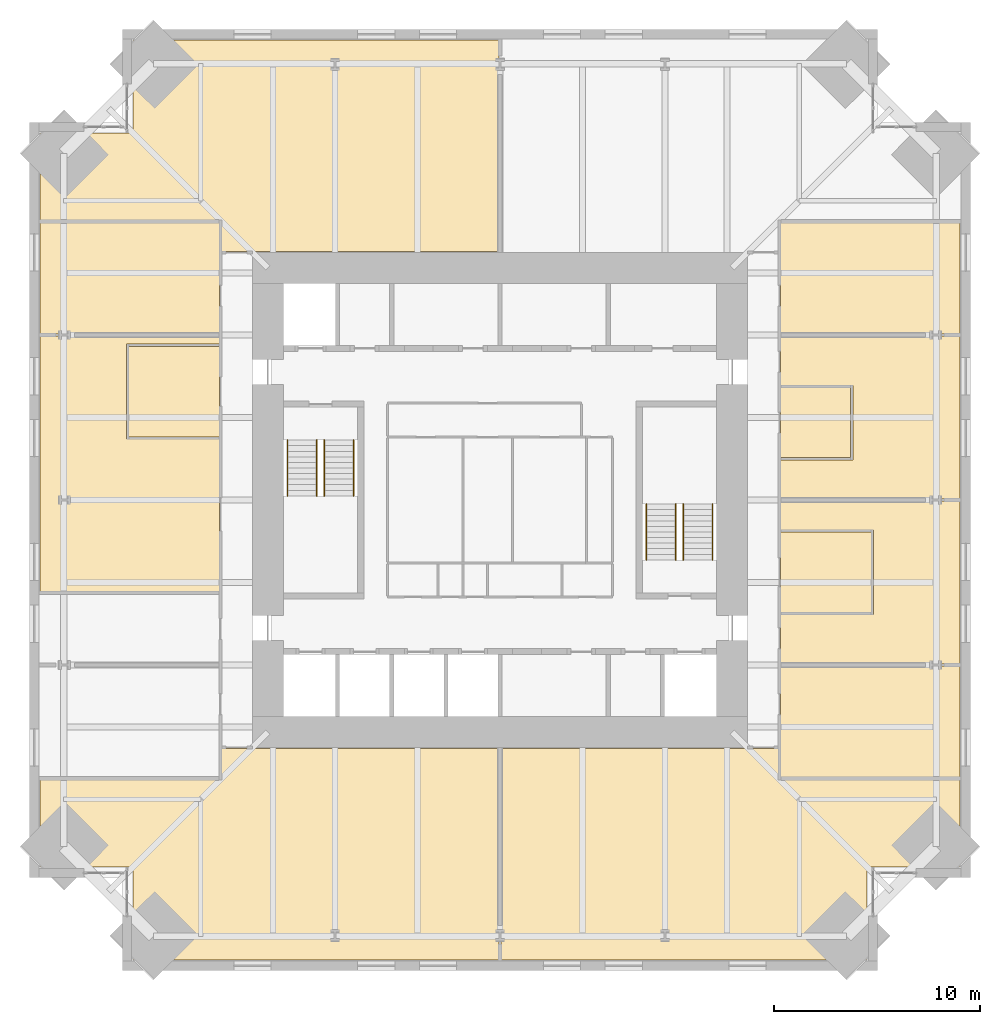
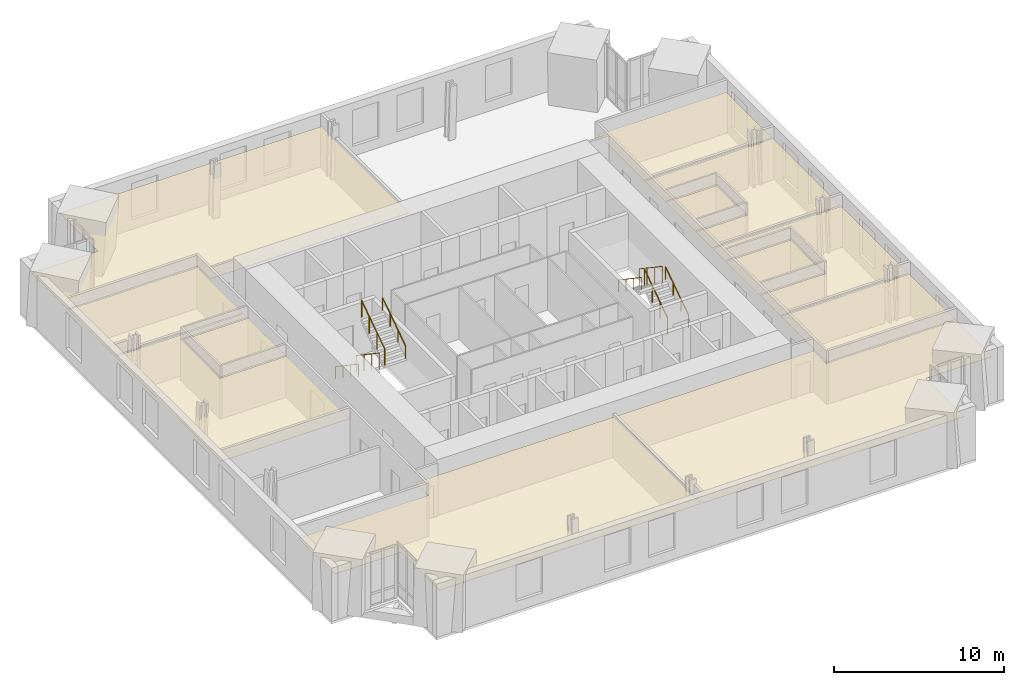
# One storey, part 15 of 15: 12 coverings, 8 railings.
"""IFC4 building model written with IfcOpenShell, lengths in metres."""

from ifc_helpers import new_model, si_unit, direction, frame, origin, origin_2d, place, context, subcontext, project, spatial, polyline, circle, outline, extrude, material, layer, layer_set, type_object, element, save


model = new_model("IFC4")

# Units and contexts
model_context = context("Model", 3, precision=1e-05, world=origin(), true_north=direction((0.0, 1.0)))
body_context = subcontext(model_context, "Body", "Model", "MODEL_VIEW")
ifc_project = project(units=[si_unit("LENGTHUNIT", "METRE"), si_unit("AREAUNIT", "SQUARE_METRE"), si_unit("VOLUMEUNIT", "CUBIC_METRE"), si_unit("PLANEANGLEUNIT", "RADIAN"), si_unit("MASSUNIT", "GRAM", prefix="KILO")], contexts=[model_context])

# Site, building, storey
site_placement = place(None, origin())
site = spatial("IfcSite", under=ifc_project, at=site_placement, CompositionType="ELEMENT")
building_placement = place(site_placement, origin())
building = spatial("IfcBuilding", under=site, at=building_placement, Name="Peilmerk Tower", CompositionType="ELEMENT")
storey_placement = place(building_placement, frame((0.0, 0.0, 241.800048828125)))
storey = spatial("IfcBuildingStorey", under=building, at=storey_placement, Name="L53", CompositionType="ELEMENT", Elevation=241.800048828125)

# Coverings
ifc_material_1 = material(Name="Mineral fibre ceiling tiles", Category="mineral")
ifc_layer = layer(ifc_material_1, 0.02490234375)
ifc_layer_set = layer_set([ifc_layer], Name="Mineral fibre ceiling tiles")
covering_type = type_object("IfcCoveringType", Name="CL1 25 suspended ceiling", PredefinedType="CEILING", material=ifc_layer_set)
covering_1_placement = place(storey_placement, frame((0.0, 0.0, 2.905029296875)))
element("IfcCovering", 1, at=covering_1_placement, inside=storey, type_object=covering_type, Name="Suspended ceiling Client suite", PredefinedType="CEILING", context=body_context, shape_type="SweptSolid", body=[
    extrude(outline(polyline([(-22.300048828125, 17.800048828125), (-22.300048828125, 13.550048828125), (-13.5, 13.550048828125), (-13.5, 12.050048828125), (-0.050048828125, 12.050048828125), (-0.050048828125, 22.300048828125), (-17.800048828125, 22.300048828125), (-17.800048828125, 17.800048828125), (-22.300048828125, 17.800048828125)])), origin(), (0.0, 0.0, 1.0), 0.02490234375),
])
covering_2_placement = place(storey_placement, frame((0.0, 0.0, 2.905029296875)))
element("IfcCovering", 2, at=covering_2_placement, inside=storey, type_object=covering_type, Name="Suspended ceiling Open workspace", PredefinedType="CEILING", context=body_context, shape_type="SweptSolid", body=[
    extrude(outline(polyline([(-17.800048828125, -22.300048828125), (-0.050048828125, -22.300048828125), (-0.050048828125, -12.050048828125), (-13.5, -12.050048828125), (-13.5, -13.550048828125), (-22.300048828125, -13.550048828125), (-22.300048828125, -17.800048828125), (-17.800048828125, -17.800048828125), (-17.800048828125, -22.300048828125)])), origin(), (0.0, 0.0, 1.0), 0.02490234375),
])
covering_3_placement = place(storey_placement, frame((0.0, 0.0, 2.905029296875)))
element("IfcCovering", 3, at=covering_3_placement, inside=storey, type_object=covering_type, Name="Suspended ceiling Open workspace", PredefinedType="CEILING", context=body_context, shape_type="SweptSolid", body=[
    extrude(outline(polyline([(0.050048828125, -22.300048828125), (17.800048828125, -22.300048828125), (17.800048828125, -17.800048828125), (22.300048828125, -17.800048828125), (22.300048828125, -13.550048828125), (13.5, -13.550048828125), (13.5, -12.050048828125), (0.050048828125, -12.050048828125), (0.050048828125, -22.300048828125)])), origin(), (0.0, 0.0, 1.0), 0.02490234375),
])
covering_4_placement = place(storey_placement, frame((0.0, 0.0, 2.905029296875)))
element("IfcCovering", 4, at=covering_4_placement, inside=storey, type_object=covering_type, Name="Suspended ceiling Office", PredefinedType="CEILING", context=body_context, shape_type="SweptSolid", body=[
    extrude(outline(polyline([(22.300048828125, -13.449951171875), (22.300048828125, -8.050048828125), (13.60009765625, -8.050048828125), (13.60009765625, -13.449951171875), (22.300048828125, -13.449951171875)])), origin(), (0.0, 0.0, 1.0), 0.02490234375),
])
covering_5_placement = place(storey_placement, frame((0.0, 0.0, 2.905029296875)))
element("IfcCovering", 5, at=covering_5_placement, inside=storey, type_object=covering_type, Name="Suspended ceiling Office", PredefinedType="CEILING", context=body_context, shape_type="SweptSolid", body=[
    extrude(outline(polyline([(13.60009765625, -7.949951171875), (22.300048828125, -7.949951171875), (22.300048828125, -0.050048828125), (13.60009765625, -0.050048828125), (13.60009765625, -1.449951171875), (18.10009765625, -1.449951171875), (18.10009765625, -5.550048828125), (13.60009765625, -5.550048828125), (13.60009765625, -7.949951171875)])), origin(), (0.0, 0.0, 1.0), 0.02490234375),
])
covering_6_placement = place(storey_placement, frame((0.0, 0.0, 2.905029296875)))
element("IfcCovering", 6, at=covering_6_placement, inside=storey, type_object=covering_type, Name="Suspended ceiling Office", PredefinedType="CEILING", context=body_context, shape_type="SweptSolid", body=[
    extrude(outline(polyline([(13.60009765625, 0.050048828125), (22.300048828125, 0.050048828125), (22.300048828125, 7.949951171875), (13.60009765625, 7.949951171875), (13.60009765625, 5.550048828125), (17.10009765625, 5.550048828125), (17.10009765625, 1.949951171875), (13.60009765625, 1.949951171875), (13.60009765625, 0.050048828125)])), origin(), (0.0, 0.0, 1.0), 0.02490234375),
])
covering_7_placement = place(storey_placement, frame((0.0, 0.0, 2.905029296875)))
element("IfcCovering", 7, at=covering_7_placement, inside=storey, type_object=covering_type, Name="Suspended ceiling Meeting room", PredefinedType="CEILING", context=body_context, shape_type="SweptSolid", body=[
    extrude(outline(polyline([(22.300048828125, 8.050048828125), (22.300048828125, 13.449951171875), (13.60009765625, 13.449951171875), (13.60009765625, 8.050048828125), (22.300048828125, 8.050048828125)])), origin(), (0.0, 0.0, 1.0), 0.02490234375),
])
covering_8_placement = place(storey_placement, frame((0.0, 0.0, 2.905029296875)))
element("IfcCovering", 8, at=covering_8_placement, inside=storey, type_object=covering_type, Name="Suspended ceiling Pantry", PredefinedType="CEILING", context=body_context, shape_type="SweptSolid", body=[
    extrude(outline(polyline([(17.0, 2.050048828125), (17.0, 5.449951171875), (13.60009765625, 5.449951171875), (13.60009765625, 2.050048828125), (17.0, 2.050048828125)])), origin(), (0.0, 0.0, 1.0), 0.02490234375),
])
covering_9_placement = place(storey_placement, frame((0.0, 0.0, 2.905029296875)))
element("IfcCovering", 9, at=covering_9_placement, inside=storey, type_object=covering_type, Name="Suspended ceiling Briefing room", PredefinedType="CEILING", context=body_context, shape_type="SweptSolid", body=[
    extrude(outline(polyline([(18.0, -5.449951171875), (18.0, -1.550048828125), (13.60009765625, -1.550048828125), (13.60009765625, -5.449951171875), (18.0, -5.449951171875)])), origin(), (0.0, 0.0, 1.0), 0.02490234375),
])
covering_10_placement = place(storey_placement, frame((0.0, 0.0, 2.905029296875)))
element("IfcCovering", 10, at=covering_10_placement, inside=storey, type_object=covering_type, Name="Suspended ceiling Reception", PredefinedType="CEILING", context=body_context, shape_type="SweptSolid", body=[
    extrude(outline(polyline([(-13.60009765625, 7.949951171875), (-22.300048828125, 7.949951171875), (-22.300048828125, -4.449951171875), (-13.60009765625, -4.449951171875), (-13.60009765625, 2.949951171875), (-18.10009765625, 2.949951171875), (-18.10009765625, 7.550048828125), (-13.60009765625, 7.550048828125), (-13.60009765625, 7.949951171875)])), origin(), (0.0, 0.0, 1.0), 0.02490234375),
])
covering_11_placement = place(storey_placement, frame((0.0, 0.0, 2.905029296875)))
element("IfcCovering", 11, at=covering_11_placement, inside=storey, type_object=covering_type, Name="Suspended ceiling Office", PredefinedType="CEILING", context=body_context, shape_type="SweptSolid", body=[
    extrude(outline(polyline([(-22.300048828125, 13.449951171875), (-22.300048828125, 8.050048828125), (-13.60009765625, 8.050048828125), (-13.60009765625, 13.449951171875), (-22.300048828125, 13.449951171875)])), origin(), (0.0, 0.0, 1.0), 0.02490234375),
])
covering_12_placement = place(storey_placement, frame((0.0, 0.0, 2.905029296875)))
element("IfcCovering", 12, at=covering_12_placement, inside=storey, type_object=covering_type, Name="Suspended ceiling Briefing room", PredefinedType="CEILING", context=body_context, shape_type="SweptSolid", body=[
    extrude(outline(polyline([(-13.60009765625, 3.050048828125), (-13.60009765625, 7.449951171875), (-18.0, 7.449951171875), (-18.0, 3.050048828125), (-13.60009765625, 3.050048828125)])), origin(), (0.0, 0.0, 1.0), 0.02490234375),
])

# Railings
ifc_material_2 = material(Name="Steel flat bar balustrade", Category="steel")
railing_type_1 = type_object("IfcRailingType", Name="GR1 1200 stair guard", PredefinedType="GUARDRAIL", material=ifc_material_2)
railing_1_placement = place(storey_placement, frame((-8.8798828125, 2.89990234375, 0.181884765625)))
element("IfcRailing", 13, at=railing_1_placement, inside=storey, type_object=railing_type_1, Name="Guard stair 1 L53", PredefinedType="GUARDRAIL", context=body_context, shape_type="SweptSolid", body=[
    extrude(circle(Radius=0.02392578125, at=origin_2d()), frame((0.0, 0.0, 1.17578125), z_axis=(0.0, -0.829468130872, 0.55855404382), x_axis=(1.0, 0.0, 0.0)), (0.0, 0.0, 1.0), 3.255126953125),
    extrude(circle(Radius=0.02099609375, at=origin_2d()), origin(), (0.0, 0.0, 1.0), 1.15185546875),
    extrude(circle(Radius=0.02099609375, at=origin_2d()), frame((0.0, -0.89990234375, 0.60595703125)), (0.0, 0.0, 1.0), 1.15185546875),
    extrude(circle(Radius=0.02099609375, at=origin_2d()), frame((0.0, -1.800048828125, 1.212158203125)), (0.0, 0.0, 1.0), 1.15185546875),
    extrude(circle(Radius=0.02099609375, at=origin_2d()), frame((0.0, -2.699951171875, 1.818115234375)), (0.0, 0.0, 1.0), 1.15185546875),
])
for number, where, name in (
    (14, (-8.52001953125, 0.199951171875, 2.181884765625), "Guard stair 1 L53"),
    (15, (8.8798828125, -2.89990234375, 0.181884765625), "Guard stair 2 L53"),
):
    element("IfcRailing", number, at=place(storey_placement, frame(where)), inside=storey, type_object=railing_type_1, Name=name, PredefinedType="GUARDRAIL", context=body_context, shape_type="SweptSolid", body=[
        extrude(circle(Radius=0.02392578125, at=origin_2d()), frame((0.0, 0.0, 1.17578125), z_axis=(0.0, 0.829468130872, 0.55855404382), x_axis=(-1.0, 0.0, 0.0)), (0.0, 0.0, 1.0), 3.255126953125),
        extrude(circle(Radius=0.02099609375, at=origin_2d()), origin(), (0.0, 0.0, 1.0), 1.15185546875),
        extrude(circle(Radius=0.02099609375, at=origin_2d()), frame((0.0, 0.89990234375, 0.60595703125)), (0.0, 0.0, 1.0), 1.15185546875),
        extrude(circle(Radius=0.02099609375, at=origin_2d()), frame((0.0, 1.800048828125, 1.212158203125)), (0.0, 0.0, 1.0), 1.15185546875),
        extrude(circle(Radius=0.02099609375, at=origin_2d()), frame((0.0, 2.699951171875, 1.818115234375)), (0.0, 0.0, 1.0), 1.15185546875),
    ])
railing_2_placement = place(storey_placement, frame((8.52001953125, -0.199951171875, 2.181884765625)))
element("IfcRailing", 16, at=railing_2_placement, inside=storey, type_object=railing_type_1, Name="Guard stair 2 L53", PredefinedType="GUARDRAIL", context=body_context, shape_type="SweptSolid", body=[
    extrude(circle(Radius=0.02392578125, at=origin_2d()), frame((0.0, 0.0, 1.17578125), z_axis=(0.0, -0.829468130872, 0.55855404382), x_axis=(1.0, 0.0, 0.0)), (0.0, 0.0, 1.0), 3.255126953125),
    extrude(circle(Radius=0.02099609375, at=origin_2d()), origin(), (0.0, 0.0, 1.0), 1.15185546875),
    extrude(circle(Radius=0.02099609375, at=origin_2d()), frame((0.0, -0.89990234375, 0.60595703125)), (0.0, 0.0, 1.0), 1.15185546875),
    extrude(circle(Radius=0.02099609375, at=origin_2d()), frame((0.0, -1.800048828125, 1.212158203125)), (0.0, 0.0, 1.0), 1.15185546875),
    extrude(circle(Radius=0.02099609375, at=origin_2d()), frame((0.0, -2.699951171875, 1.818115234375)), (0.0, 0.0, 1.0), 1.15185546875),
])
ifc_material_3 = material(Name="Stainless steel tube", Category="steel")
railing_type_2 = type_object("IfcRailingType", Name="HR1 900 stair handrail", PredefinedType="HANDRAIL", material=ifc_material_3)
railing_3_placement = place(storey_placement, frame((-10.300048828125, 2.89990234375, 0.181884765625)))
element("IfcRailing", 17, at=railing_3_placement, inside=storey, type_object=railing_type_2, Name="Handrail stair 1 L53", PredefinedType="HANDRAIL", context=body_context, shape_type="SweptSolid", body=[
    extrude(circle(Radius=0.02392578125, at=origin_2d()), frame((0.0, 0.0, 0.8759765625), z_axis=(0.0, -0.829468130872, 0.55855404382), x_axis=(1.0, 0.0, 0.0)), (0.0, 0.0, 1.0), 3.255126953125),
    extrude(circle(Radius=0.02099609375, at=origin_2d()), origin(), (0.0, 0.0, 1.0), 0.851806640625),
    extrude(circle(Radius=0.02099609375, at=origin_2d()), frame((0.0, -0.89990234375, 0.60595703125)), (0.0, 0.0, 1.0), 0.851806640625),
    extrude(circle(Radius=0.02099609375, at=origin_2d()), frame((0.0, -1.800048828125, 1.212158203125)), (0.0, 0.0, 1.0), 0.851806640625),
    extrude(circle(Radius=0.02099609375, at=origin_2d()), frame((0.0, -2.699951171875, 1.818115234375)), (0.0, 0.0, 1.0), 0.851806640625),
])
for number, where, name in (
    (18, (-7.10009765625, 0.199951171875, 2.181884765625), "Handrail stair 1 L53"),
    (19, (10.300048828125, -2.89990234375, 0.181884765625), "Handrail stair 2 L53"),
):
    element("IfcRailing", number, at=place(storey_placement, frame(where)), inside=storey, type_object=railing_type_2, Name=name, PredefinedType="HANDRAIL", context=body_context, shape_type="SweptSolid", body=[
        extrude(circle(Radius=0.02392578125, at=origin_2d()), frame((0.0, 0.0, 0.8759765625), z_axis=(0.0, 0.829468130872, 0.55855404382), x_axis=(-1.0, 0.0, 0.0)), (0.0, 0.0, 1.0), 3.255126953125),
        extrude(circle(Radius=0.02099609375, at=origin_2d()), origin(), (0.0, 0.0, 1.0), 0.851806640625),
        extrude(circle(Radius=0.02099609375, at=origin_2d()), frame((0.0, 0.89990234375, 0.60595703125)), (0.0, 0.0, 1.0), 0.851806640625),
        extrude(circle(Radius=0.02099609375, at=origin_2d()), frame((0.0, 1.800048828125, 1.212158203125)), (0.0, 0.0, 1.0), 0.851806640625),
        extrude(circle(Radius=0.02099609375, at=origin_2d()), frame((0.0, 2.699951171875, 1.818115234375)), (0.0, 0.0, 1.0), 0.851806640625),
    ])
railing_4_placement = place(storey_placement, frame((7.10009765625, -0.199951171875, 2.181884765625)))
element("IfcRailing", 20, at=railing_4_placement, inside=storey, type_object=railing_type_2, Name="Handrail stair 2 L53", PredefinedType="HANDRAIL", context=body_context, shape_type="SweptSolid", body=[
    extrude(circle(Radius=0.02392578125, at=origin_2d()), frame((0.0, 0.0, 0.8759765625), z_axis=(0.0, -0.829468130872, 0.55855404382), x_axis=(1.0, 0.0, 0.0)), (0.0, 0.0, 1.0), 3.255126953125),
    extrude(circle(Radius=0.02099609375, at=origin_2d()), origin(), (0.0, 0.0, 1.0), 0.851806640625),
    extrude(circle(Radius=0.02099609375, at=origin_2d()), frame((0.0, -0.89990234375, 0.60595703125)), (0.0, 0.0, 1.0), 0.851806640625),
    extrude(circle(Radius=0.02099609375, at=origin_2d()), frame((0.0, -1.800048828125, 1.212158203125)), (0.0, 0.0, 1.0), 0.851806640625),
    extrude(circle(Radius=0.02099609375, at=origin_2d()), frame((0.0, -2.699951171875, 1.818115234375)), (0.0, 0.0, 1.0), 0.851806640625),
])

save(model, "model.ifc")
